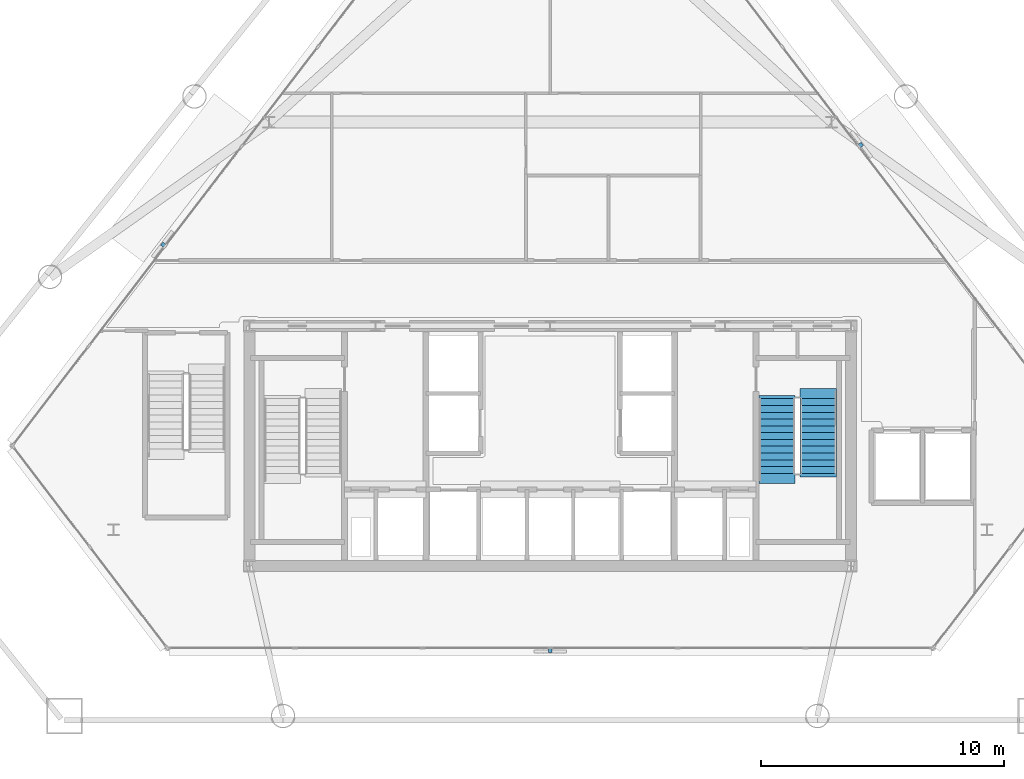
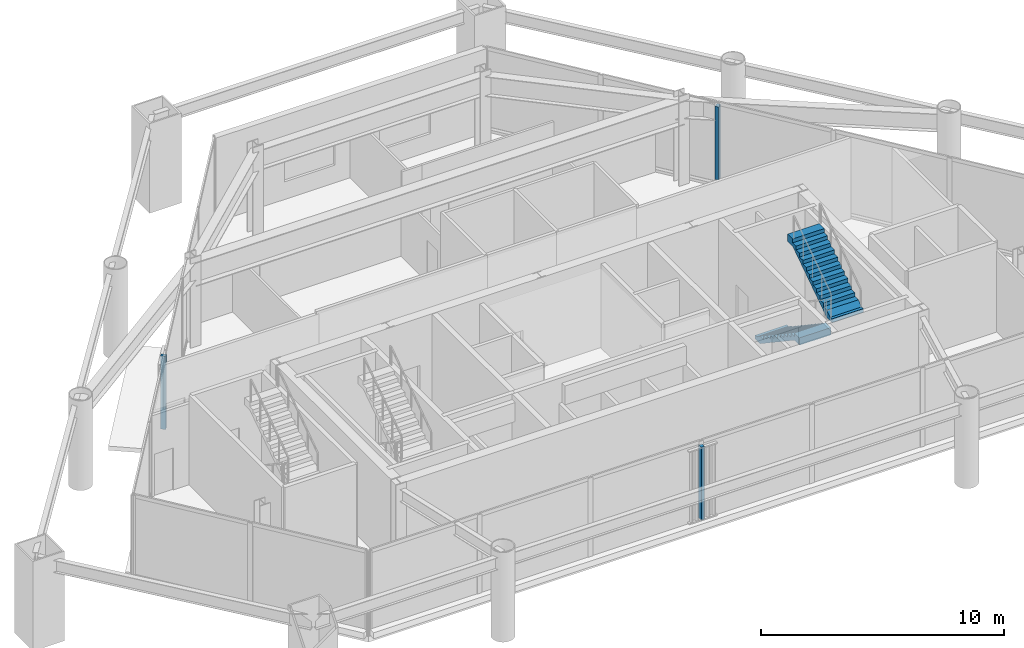
# One storey, part 9 of 11: 3 discrete accessories, 2 stair flights, 1 element without a shape of its own.
"""IFC4 building model written with IfcOpenShell, lengths in metres."""

from ifc_helpers import new_model, si_unit, direction, frame, origin, origin_2d, place, context, subcontext, project, spatial, polyline, rectangle, outline, extrude, source, transform, mapped, material, layer, layer_set, type_object, type_shapes, element, aggregate, save


model = new_model("IFC4")

# Units and contexts
model_context = context("Model", 3, precision=1e-05, world=origin(), true_north=direction((0.0, 1.0)))
body_context = subcontext(model_context, "Body", "Model", "MODEL_VIEW")
ifc_project = project(units=[si_unit("LENGTHUNIT", "METRE"), si_unit("AREAUNIT", "SQUARE_METRE"), si_unit("VOLUMEUNIT", "CUBIC_METRE"), si_unit("PLANEANGLEUNIT", "RADIAN"), si_unit("MASSUNIT", "GRAM", prefix="KILO")], contexts=[model_context])

# Site, building, storey
site_placement = place(None, origin())
site = spatial("IfcSite", under=ifc_project, at=site_placement, CompositionType="ELEMENT")
building_placement = place(site_placement, origin())
building = spatial("IfcBuilding", under=site, at=building_placement, Name="Talgorran Terracotta Tower", CompositionType="ELEMENT")
storey_placement = place(building_placement, frame((0.0, 0.0, 5.39990234375)))
storey = spatial("IfcBuildingStorey", under=building, at=storey_placement, Name="L01", CompositionType="ELEMENT", Elevation=5.39990234375)

# Stair, stair flights
ifc_material_1 = material(Name="Concrete C40/50", Category="concrete")
stair_type = type_object("IfcStairType", Name="ST_FIRE_SCISSOR", PredefinedType="HALF_TURN_STAIR", material=ifc_material_1)
stair_placement = place(storey_placement, origin())
stair = element("IfcStair", 1, at=stair_placement, inside=storey, type_object=stair_type, Name="L01 East Protected Fire Stair ST-02", PredefinedType="HALF_TURN_STAIR")
ifc_layer_1 = layer(ifc_material_1, 0.179931640625, Name="STF_RC_1500")
ifc_layer_set_1 = layer_set([ifc_layer_1], Name="Concrete C40/50")
stair_flight_type = type_object("IfcStairFlightType", Name="STF_RC_1500", PredefinedType="STRAIGHT", material=ifc_layer_set_1)
stair_flight_1_placement = place(storey_placement, frame((9.35009765625, -7.199951171875, 0.0), z_axis=(0.0, 0.0, 1.0), x_axis=(0.0, -1.0, 0.0)))
stair_flight_1 = element("IfcStairFlight", 2, at=stair_flight_1_placement, type_object=stair_flight_type, Name="ST-02 flight 1", NumberOfRisers=12, NumberOfTreads=11, PredefinedType="STRAIGHT", RiserHeight=0.1875, TreadLength=0.28, context=body_context, shape_type="SweptSolid", body=[
    extrude(outline(polyline([(-0.139892578125, 0.0), (-0.139892578125, 0.1875), (0.0, 0.1875), (0.280029296875, 0.375), (0.56005859375, 0.375), (0.56005859375, 0.5625), (0.840087890625, 0.5625), (0.840087890625, 0.75), (1.1201171875, 0.75), (1.1201171875, 0.9375), (1.39990234375, 0.9375), (1.39990234375, 1.125), (1.679931640625, 1.125), (1.679931640625, 1.3125), (1.9599609375, 1.3125), (1.9599609375, 1.5), (2.239990234375, 1.5), (2.239990234375, 1.6875), (2.52001953125, 1.6875), (2.52001953125, 1.875), (2.800048828125, 1.875), (2.800048828125, 2.0625), (3.080078125, 2.0625), (3.080078125, 2.25), (3.5, 2.25), (3.5, 1.882080078125), (3.080078125, 1.882080078125), (0.26953125, 0.0), (-0.139892578125, 0.0)])), frame((0.0, 0.75, 0.0), z_axis=(0.0, -1.0, 0.0), x_axis=(1.0, 0.0, 0.0)), (0.0, 0.0, 1.0), 1.5),
])
stair_flight_2_placement = place(storey_placement, frame((11.050048828125, -10.280029296875, 2.25), z_axis=(0.0, 0.0, 1.0), x_axis=(0.0, 1.0, 0.0)))
stair_flight_2 = element("IfcStairFlight", 3, at=stair_flight_2_placement, type_object=stair_flight_type, Name="ST-02 flight 2", NumberOfRisers=12, NumberOfTreads=11, PredefinedType="STRAIGHT", RiserHeight=0.1875, TreadLength=0.28, context=body_context, shape_type="SweptSolid", body=[
    extrude(outline(polyline([(-0.139892578125, 0.0), (-0.139892578125, 0.1875), (0.0, 0.1875), (0.280029296875, 0.375), (0.56005859375, 0.375), (0.56005859375, 0.5625), (0.840087890625, 0.5625), (0.840087890625, 0.75), (1.1201171875, 0.75), (1.1201171875, 0.9375), (1.39990234375, 0.9375), (1.39990234375, 1.125), (1.679931640625, 1.125), (1.679931640625, 1.3125), (1.9599609375, 1.3125), (1.9599609375, 1.5), (2.239990234375, 1.5), (2.239990234375, 1.6875), (2.52001953125, 1.6875), (2.52001953125, 1.875), (2.800048828125, 1.875), (2.800048828125, 2.0625), (3.080078125, 2.0625), (3.080078125, 2.25), (3.5, 2.25), (3.5, 1.882080078125), (3.080078125, 1.882080078125), (0.26953125, 0.0), (-0.139892578125, 0.0)])), frame((0.0, 0.75, 0.0), z_axis=(0.0, -1.0, 0.0), x_axis=(1.0, 0.0, 0.0)), (0.0, 0.0, 1.0), 1.5),
])
aggregate(stair, [stair_flight_1, stair_flight_2])

# Discrete accessories
ifc_material_2 = material(Name="Stainless Steel Grade 316", Category="steel")
ifc_layer_2 = layer(ifc_material_2, 0.080078125, Name="ACC_BAGUETTE_BRKT")
ifc_layer_set_2 = layer_set([ifc_layer_2], Name="Stainless Steel Grade 316")
discrete_accessory_type = type_object("IfcDiscreteAccessoryType", Name="ACC_BAGUETTE_BRKT", PredefinedType="BRACKET", material=ifc_layer_set_2)
shared_shape = source(origin(), body_context, "Body", "SweptSolid", [
    extrude(rectangle(XDim=0.159912109375, YDim=0.219970703125, at=origin_2d()), origin(), (0.0, 0.0, 1.0), 3.669921875),
])
type_shapes(discrete_accessory_type, [shared_shape])
for number, where, z_axis, x_axis, name in (
    (4, (0.0, -17.550048828125, 0.35009765625), (0.0, 0.0, 1.0), (1.0, 0.0, 0.0), "BRK-L01-F1"),
    (5, (12.775634765625, 3.238525390625, 0.35009765625), (0.0, 0.0, 1.0), (-0.608068865901, 0.793884282702, 0.0), "BRK-L01-F3"),
    (6, (-15.92529296875, -0.873291015625, 0.35009765625), (0.0, 0.0, 1.0), (-0.608068865901, -0.793884282702, 0.0), "BRK-L01-F5"),
):
    element("IfcDiscreteAccessory", number, at=place(storey_placement, frame(where, z_axis=z_axis, x_axis=x_axis)), inside=storey, type_object=discrete_accessory_type, Name=name, PredefinedType="BRACKET", context=body_context, shape_type="MappedRepresentation", body=[
        mapped(shared_shape, transform((0.0, 0.0, 0.0), scale=1.0)),
    ])

save(model, "model.ifc")
